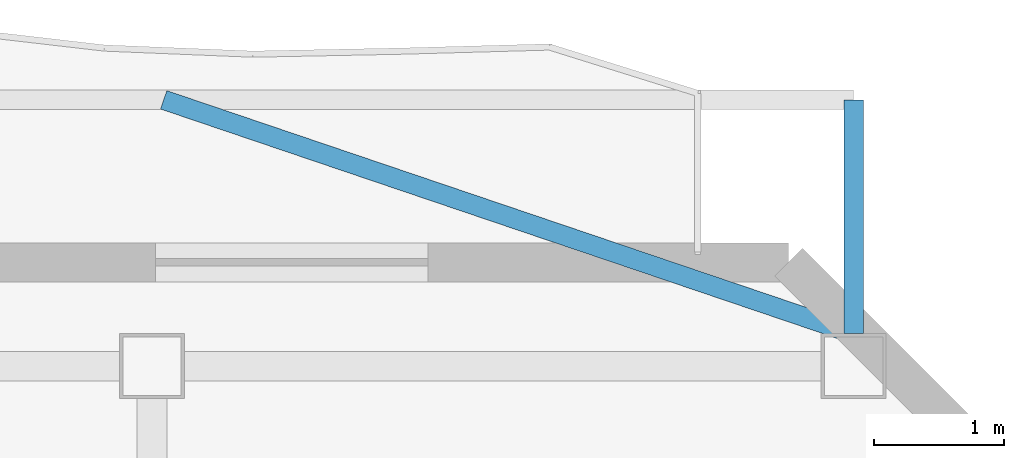
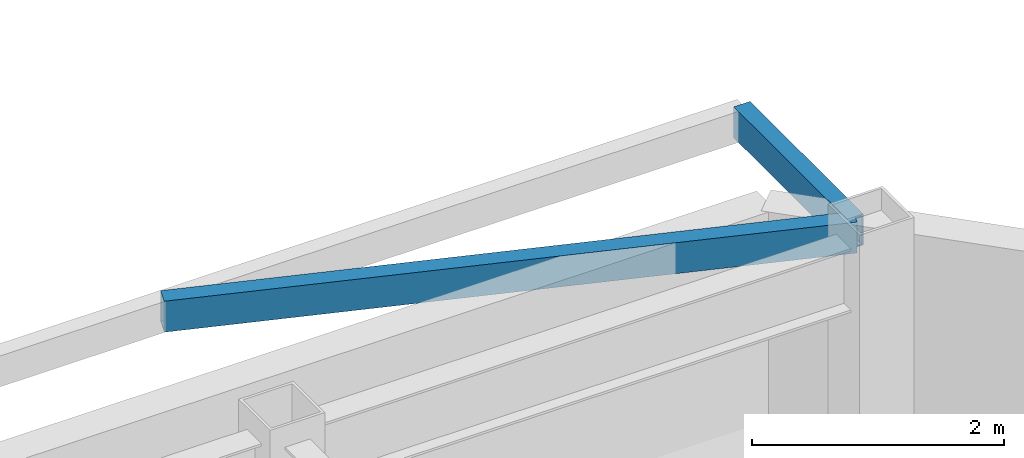
# One storey, part 13 of 23: 2 beams.
"""IFC4 building model written with IfcOpenShell, lengths in metres."""

from ifc_helpers import new_model, si_unit, direction, frame, origin, origin_2d, place, context, subcontext, project, spatial, hollow_rectangle, extrude, material, material_profile, profile_set, type_object, element, save


model = new_model("IFC4")

# Units and contexts
model_context = context("Model", 3, precision=1e-05, world=origin(), true_north=direction((0.0, 1.0)))
body_context = subcontext(model_context, "Body", "Model", "MODEL_VIEW")
ifc_project = project(units=[si_unit("LENGTHUNIT", "METRE"), si_unit("AREAUNIT", "SQUARE_METRE"), si_unit("VOLUMEUNIT", "CUBIC_METRE"), si_unit("PLANEANGLEUNIT", "RADIAN"), si_unit("MASSUNIT", "GRAM", prefix="KILO")], contexts=[model_context])

# Site, building, storey
site_placement = place(None, origin())
site = spatial("IfcSite", under=ifc_project, at=site_placement, CompositionType="ELEMENT")
building_placement = place(site_placement, origin())
building = spatial("IfcBuilding", under=site, at=building_placement, Name="Mawjaban Terraces University", CompositionType="ELEMENT")
storey_placement = place(building_placement, frame((0.0, 0.0, 98.39990234375)))
storey = spatial("IfcBuildingStorey", under=building, at=storey_placement, Name="L23", CompositionType="ELEMENT", Elevation=98.39990234375)

# Beams
ifc_material = material(Name="Steel EN 10210-1 S355J2H", Category="steel")
ifc_material_profile = material_profile(ifc_material, hollow_rectangle(XDim=0.14990234375, YDim=0.300048828125, WallThickness=0.012451171875, at=origin_2d()), Name="RHS300X150X12.5")
ifc_profile_set = profile_set([ifc_material_profile], Name="Steel EN 10210-1 S355J2H")
beam_type = type_object("IfcBeamType", Name="BalconyCantileverSpandrel_RHS", PredefinedType="SPANDREL", material=ifc_profile_set)
beam_1_placement = place(storey_placement, frame((68.60009765625, 15.449951171875, 4.64013671875), z_axis=(0.0, 1.0, 0.0), x_axis=(-1.0, 0.0, 0.0)))
element("IfcBeam", 1, at=beam_1_placement, inside=storey, type_object=beam_type, Name="L23 Exterior Outrigger BAL-L24-N.2", PredefinedType="SPANDREL", context=body_context, shape_type="SweptSolid", body=[
    extrude(hollow_rectangle(XDim=0.14990234375, YDim=0.300048828125, WallThickness=0.012451171875, at=origin_2d()), origin(), (0.0, 0.0, 1.0), 1.800048828125),
])
beam_2_placement = place(storey_placement, frame((68.60009765625, 15.449951171875, 4.64013671875), z_axis=(-0.947064308663, 0.32104391484, 0.0), x_axis=(-0.32104391484, -0.947064308663, 0.0)))
element("IfcBeam", 2, at=beam_2_placement, inside=storey, type_object=beam_type, Name="L23 Exterior Diagonal Strut BAL-L24-N.2", PredefinedType="SPANDREL", context=body_context, shape_type="SweptSolid", body=[
    extrude(hollow_rectangle(XDim=0.14990234375, YDim=0.300048828125, WallThickness=0.012451171875, at=origin_2d()), origin(), (0.0, 0.0, 1.0), 5.60693359375),
])

save(model, "model.ifc")
